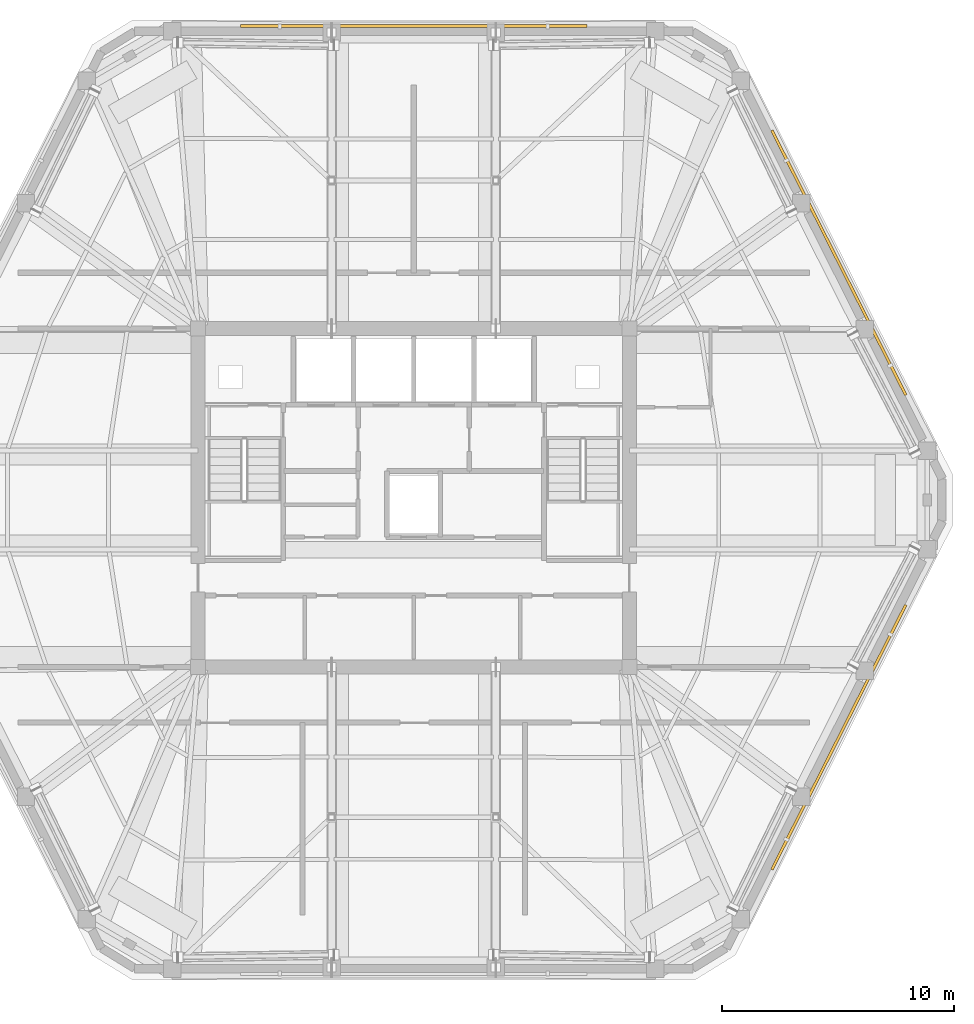
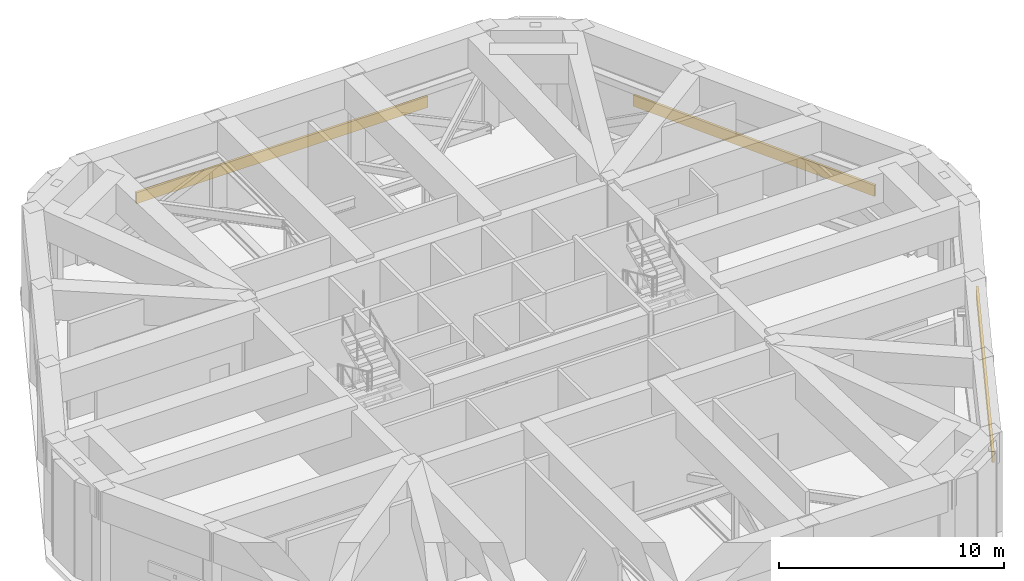
# One storey, part 15 of 15: 3 shading devices.
"""IFC4 building model written with IfcOpenShell, lengths in metres."""

from ifc_helpers import new_model, si_unit, direction, frame, origin, origin_2d, place, context, subcontext, project, spatial, rectangle, extrude, material, layer, layer_set, type_object, element, save


model = new_model("IFC4")

# Units and contexts
model_context = context("Model", 3, precision=1e-05, world=origin(), true_north=direction((0.0, 1.0)))
body_context = subcontext(model_context, "Body", "Model", "MODEL_VIEW")
ifc_project = project(units=[si_unit("LENGTHUNIT", "METRE"), si_unit("AREAUNIT", "SQUARE_METRE"), si_unit("VOLUMEUNIT", "CUBIC_METRE"), si_unit("PLANEANGLEUNIT", "RADIAN"), si_unit("MASSUNIT", "GRAM", prefix="KILO")], contexts=[model_context])

# Site, building, storey
site_placement = place(None, origin())
site = spatial("IfcSite", under=ifc_project, at=site_placement, CompositionType="ELEMENT")
building_placement = place(site_placement, origin())
building = spatial("IfcBuilding", under=site, at=building_placement, Name="Cinnabar Lancet Tower", CompositionType="ELEMENT")
storey_placement = place(building_placement, frame((0.0, 0.0, 221.60009765625)))
storey = spatial("IfcBuildingStorey", under=building, at=storey_placement, Name="L59", CompositionType="ELEMENT", Elevation=221.60009765625)

# Shading devices
ifc_material = material(Name="Anodized acoustic plant weather louvre", Category="aluminium")
ifc_layer = layer(ifc_material, 0.094970703125)
ifc_layer_set = layer_set([ifc_layer], Name="Anodized acoustic plant weather louvre")
shading_device_type = type_object("IfcShadingDeviceType", Name="ENV-SHD-LVR-600", PredefinedType="JALOUSIE", material=ifc_layer_set)
for number, where, z_axis, x_axis, name in (
    (1, (50.73291015625, 15.569091796875, 1.849853515625), (0.0, 0.0, 1.0), (0.451375984307, 0.89233386173, 0.0), "L59 Face 2 Acoustic Plant Weather Louvre"),
    (2, (50.73291015625, 36.031005859375, 1.849853515625), (0.0, 0.0, 1.0), (-0.451375984307, 0.89233386173, 0.0), "L59 Face 3 Acoustic Plant Weather Louvre"),
):
    element("IfcShadingDevice", number, at=place(storey_placement, frame(where, z_axis=z_axis, x_axis=x_axis)), inside=storey, type_object=shading_device_type, Name=name, PredefinedType="JALOUSIE", context=body_context, shape_type="SweptSolid", body=[
        extrude(rectangle(XDim=12.800048828125, YDim=0.1201171875, at=origin_2d()), origin(), (0.0, 0.0, 1.0), 0.60009765625),
    ])
shading_device_placement = place(storey_placement, frame((32.39990234375, 46.239990234375, 1.849853515625), z_axis=(0.0, 0.0, 1.0), x_axis=(-1.0, 0.0, 0.0)))
element("IfcShadingDevice", 3, at=shading_device_placement, inside=storey, type_object=shading_device_type, Name="L59 Face 4 Acoustic Plant Weather Louvre", PredefinedType="JALOUSIE", context=body_context, shape_type="SweptSolid", body=[
    extrude(rectangle(XDim=14.930908203125, YDim=0.1201171875, at=origin_2d()), origin(), (0.0, 0.0, 1.0), 0.60009765625),
])

save(model, "model.ifc")
